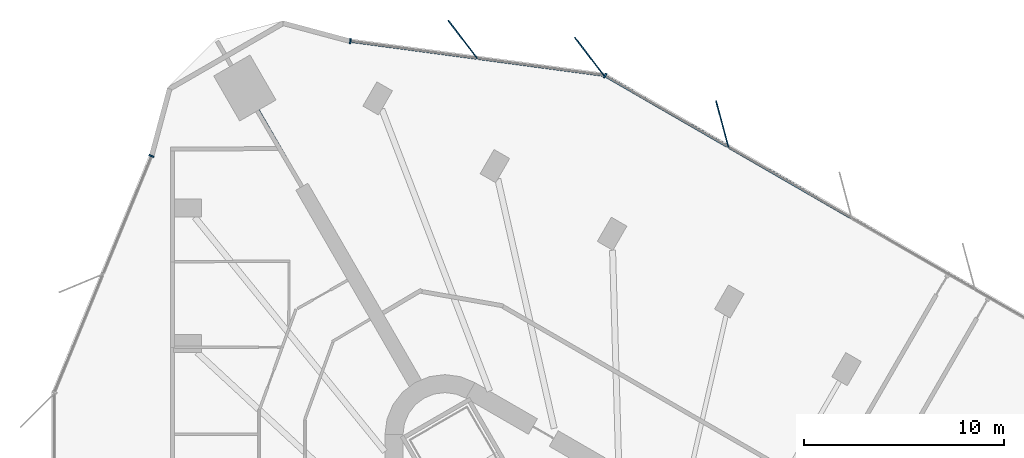
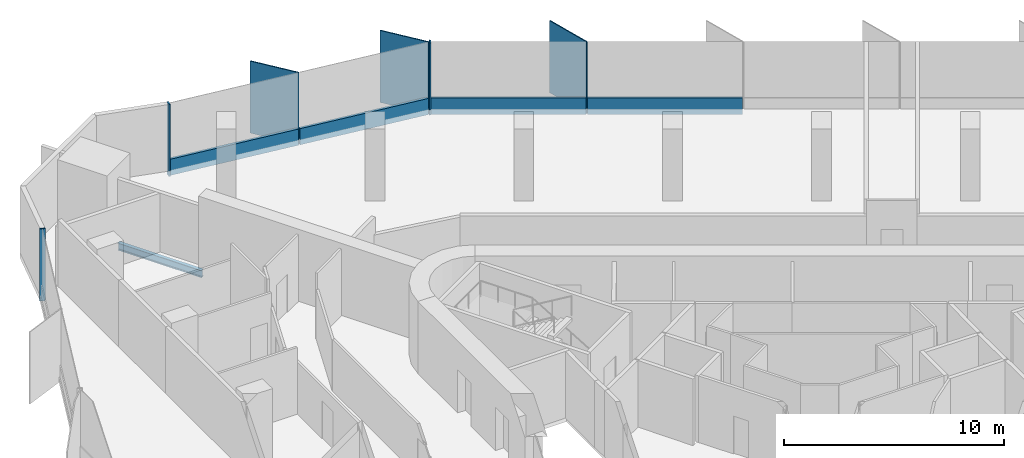
# One storey, part 6 of 14: 10 members, 1 beam, 3 elements without a shape of their own.
"""IFC4 building model written with IfcOpenShell, lengths in metres."""

from ifc_helpers import new_model, si_unit, direction, frame, origin, origin_2d, place, context, subcontext, project, spatial, rectangle, i_section, extrude, material, material_profile, profile_set, type_object, element, aggregate, save


model = new_model("IFC4")

# Units and contexts
model_context = context("Model", 3, precision=1e-05, world=origin(), true_north=direction((0.0, 1.0)))
body_context = subcontext(model_context, "Body", "Model", "MODEL_VIEW")
ifc_project = project(units=[si_unit("LENGTHUNIT", "METRE"), si_unit("AREAUNIT", "SQUARE_METRE"), si_unit("VOLUMEUNIT", "CUBIC_METRE"), si_unit("PLANEANGLEUNIT", "RADIAN"), si_unit("MASSUNIT", "GRAM", prefix="KILO")], contexts=[model_context])

# Site, building, storey
site_placement = place(None, origin())
site = spatial("IfcSite", under=ifc_project, at=site_placement, CompositionType="ELEMENT")
building_placement = place(site_placement, origin())
building = spatial("IfcBuilding", under=site, at=building_placement, Name="Tanit Gate Tower", CompositionType="ELEMENT")
storey_placement = place(building_placement, frame((0.0, 0.0, 237.199951171875)))
storey = spatial("IfcBuildingStorey", under=building, at=storey_placement, Name="L53", CompositionType="ELEMENT", Elevation=237.199951171875)

# Curtain wall, member
ifc_material_1 = material(Name="Aluminium bronze anodised and glass", Category="aluminium")
curtain_wall_type = type_object("IfcCurtainWallType", Name="Curtain wall typical mid", PredefinedType="NOTDEFINED", material=ifc_material_1)
curtain_wall_1_placement = place(storey_placement, origin())
curtain_wall_1 = element("IfcCurtainWall", 1, at=curtain_wall_1_placement, inside=storey, type_object=curtain_wall_type, Name="Curtain wall L53 NE2", PredefinedType="NOTDEFINED")
ifc_material_2 = material(Name="Aluminium bronze anodised", Category="aluminium")
ifc_material_profile_1 = material_profile(ifc_material_2, rectangle(XDim=2.39990234375, YDim=0.055908203125, at=origin_2d()), Name="56x2400 bronze fin mullion")
ifc_profile_set_1 = profile_set([ifc_material_profile_1], Name="Aluminium bronze anodised")
member_type_1 = type_object("IfcMemberType", Name="FIN MULLION 56x2400 bronze", PredefinedType="MULLION", material=ifc_profile_set_1)
member_1_placement = place(storey_placement, frame((4.772216796875, 31.29443359375, -0.300048828125), z_axis=(0.0, 0.0, 1.0), x_axis=(0.258886020591, -0.965907877772, 0.0)))
member_1 = element("IfcMember", 2, at=member_1_placement, type_object=member_type_1, Name="Fin mullion L53 NE2.5", PredefinedType="MULLION", context=body_context, shape_type="SweptSolid", body=[
    extrude(rectangle(XDim=2.39990234375, YDim=0.055908203125, at=origin_2d()), origin(), (0.0, 0.0, 1.0), 4.0),
])

# Curtain wall, members
curtain_wall_2_placement = place(storey_placement, origin())
curtain_wall_2 = element("IfcCurtainWall", 3, at=curtain_wall_2_placement, inside=storey, type_object=curtain_wall_type, Name="Curtain wall L53 NE3", PredefinedType="NOTDEFINED")
member_2_placement = place(storey_placement, frame((-1.878662109375, 34.677978515625, -0.300048828125), z_axis=(0.0, 0.0, 1.0), x_axis=(0.606564027871, -0.795034640813, 0.0)))
member_2 = element("IfcMember", 4, at=member_2_placement, type_object=member_type_1, Name="Fin mullion L53 NE3.1", PredefinedType="MULLION", context=body_context, shape_type="SweptSolid", body=[
    extrude(rectangle(XDim=2.39990234375, YDim=0.055908203125, at=origin_2d()), origin(), (0.0, 0.0, 1.0), 4.0),
])
member_3_placement = place(storey_placement, frame((-8.2119140625, 35.52978515625, -0.300048828125), z_axis=(0.0, 0.0, 1.0), x_axis=(0.606564027871, -0.795034640813, 0.0)))
member_3 = element("IfcMember", 5, at=member_3_placement, type_object=member_type_1, Name="Fin mullion L53 NE3.2", PredefinedType="MULLION", context=body_context, shape_type="SweptSolid", body=[
    extrude(rectangle(XDim=2.39990234375, YDim=0.055908203125, at=origin_2d()), origin(), (0.0, 0.0, 1.0), 4.0),
])

# Member
ifc_material_3 = material(Name="Aluminium bronze anodised", Category="aluminium")
ifc_material_profile_2 = material_profile(ifc_material_3, rectangle(XDim=0.260009765625, YDim=0.080078125, at=origin_2d()), Name="80x260 bronze mullion")
ifc_profile_set_2 = profile_set([ifc_material_profile_2], Name="Aluminium bronze anodised")
member_type_2 = type_object("IfcMemberType", Name="Mullion 80x260 typical mid", PredefinedType="MULLION", material=ifc_profile_set_2)
member_4_placement = place(storey_placement, frame((-1.08935546875, 33.715576171875, -0.300048828125), z_axis=(0.0, 0.0, 1.0), x_axis=(-0.49993994966, -0.866060071089, 0.0)))
member_4 = element("IfcMember", 6, at=member_4_placement, type_object=member_type_2, Name="Mullion L53 NE2.6", PredefinedType="MULLION", context=body_context, shape_type="SweptSolid", body=[
    extrude(rectangle(XDim=0.260009765625, YDim=0.080078125, at=origin_2d()), origin(), (0.0, 0.0, 1.0), 4.0),
])

member_5_placement = place(storey_placement, frame((-13.830078125, 35.444091796875, -0.300048828125), z_axis=(0.0, 0.0, 1.0), x_axis=(-0.133268848466, -0.991079923129, 0.0)))
member_5 = element("IfcMember", 7, at=member_5_placement, type_object=member_type_2, Name="Mullion L53 NE3.3", PredefinedType="MULLION", context=body_context, shape_type="SweptSolid", body=[
    extrude(rectangle(XDim=0.260009765625, YDim=0.080078125, at=origin_2d()), origin(), (0.0, 0.0, 1.0), 4.0),
])

# Curtain wall, member
curtain_wall_3_placement = place(storey_placement, origin())
curtain_wall_3 = element("IfcCurtainWall", 8, at=curtain_wall_3_placement, inside=storey, type_object=curtain_wall_type, Name="Curtain wall L53 W1", PredefinedType="NOTDEFINED")
member_6_placement = place(storey_placement, frame((-23.780517578125, 29.69921875, -0.300048828125), z_axis=(0.0, 0.0, 1.0), x_axis=(0.924867158401, -0.380290335549, 0.0)))
member_6 = element("IfcMember", 9, at=member_6_placement, type_object=member_type_2, Name="Mullion L53 W1.1", PredefinedType="MULLION", context=body_context, shape_type="SweptSolid", body=[
    extrude(rectangle(XDim=0.260009765625, YDim=0.080078125, at=origin_2d()), origin(), (0.0, 0.0, 1.0), 4.0),
])
aggregate(curtain_wall_3, [member_6])

# Beam
ifc_material_4 = material(Name="Steel S355", Category="steel")
ifc_material_profile_3 = material_profile(ifc_material_4, i_section(OverallWidth=0.179931640625, OverallDepth=0.39990234375, WebThickness=0.008544921875, FlangeThickness=0.013427734375, FilletRadius=0.02099609375, at=origin_2d()), Name="IPE 400")
ifc_profile_set_3 = profile_set([ifc_material_profile_3], Name="Steel S355")
beam_type = type_object("IfcBeamType", Name="RADIAL GIRDER IPE 400 S355", PredefinedType="BEAM", material=ifc_profile_set_3)
beam_placement = place(storey_placement, frame((-18.459716796875, 31.973388671875, -0.5), z_axis=(0.499992938033, -0.866029480975, 0.0), x_axis=(0.866029480975, 0.499992938033, 0.0)))
element("IfcBeam", 10, at=beam_placement, inside=storey, type_object=beam_type, Name="RADIAL GIRDER", PredefinedType="BEAM", context=body_context, shape_type="SweptSolid", body=[
    extrude(i_section(OverallWidth=0.179931640625, OverallDepth=0.39990234375, WebThickness=0.008544921875, FlangeThickness=0.013427734375, FilletRadius=0.02099609375, at=origin_2d()), origin(), (0.0, 0.0, 1.0), 4.4013671875),
])

# Member
ifc_material_5 = material(Name="Aluminium bronze anodised", Category="aluminium")
ifc_material_profile_4 = material_profile(ifc_material_5, rectangle(XDim=0.139892578125, YDim=0.89990234375, at=origin_2d()), Name="140x900 bronze transom")
ifc_profile_set_4 = profile_set([ifc_material_profile_4], Name="Aluminium bronze anodised")
member_type_3 = type_object("IfcMemberType", Name="Transom 140x900 typical mid", PredefinedType="USERDEFINED", material=ifc_profile_set_4)
member_7_placement = place(storey_placement, frame((11.20947265625, 26.615966796875, 0.150146484375), z_axis=(-0.866060282556, 0.499939583328, 0.0), x_axis=(-0.499939583328, -0.866060282556, 0.0)))
member_7 = element("IfcMember", 11, at=member_7_placement, type_object=member_type_3, Name="Transom L53 NE2.4", ObjectType="TRANSOM", PredefinedType="USERDEFINED", context=body_context, shape_type="SweptSolid", body=[
    extrude(rectangle(XDim=0.139892578125, YDim=0.89990234375, at=origin_2d()), origin(), (0.0, 0.0, 1.0), 7.040283203125),
])

member_8_placement = place(storey_placement, frame((5.042724609375, 30.17578125, 0.150146484375), z_axis=(-0.866060282556, 0.499939583328, 0.0), x_axis=(-0.499939583328, -0.866060282556, 0.0)))
member_8 = element("IfcMember", 12, at=member_8_placement, type_object=member_type_3, Name="Transom L53 NE2.5", ObjectType="TRANSOM", PredefinedType="USERDEFINED", context=body_context, shape_type="SweptSolid", body=[
    extrude(rectangle(XDim=0.139892578125, YDim=0.89990234375, at=origin_2d()), origin(), (0.0, 0.0, 1.0), 7.040283203125),
])

aggregate(curtain_wall_1, [member_1, member_4, member_7, member_8])

member_9_placement = place(storey_placement, frame((-1.203125, 33.74609375, 0.150146484375), z_axis=(-0.991077574285, 0.133286314936, 0.0), x_axis=(-0.133286314936, -0.991077574285, 0.0)))
member_9 = element("IfcMember", 13, at=member_9_placement, type_object=member_type_3, Name="Transom L53 NE3.1", ObjectType="TRANSOM", PredefinedType="USERDEFINED", context=body_context, shape_type="SweptSolid", body=[
    extrude(rectangle(XDim=0.139892578125, YDim=0.89990234375, at=origin_2d()), origin(), (0.0, 0.0, 1.0), 6.310302734375),
])

member_10_placement = place(storey_placement, frame((-7.536376953125, 34.597900390625, 0.150146484375), z_axis=(-0.991083371296, 0.13324320298, 0.0), x_axis=(-0.13324320298, -0.991083371296, 0.0)))
member_10 = element("IfcMember", 14, at=member_10_placement, type_object=member_type_3, Name="Transom L53 NE3.2", ObjectType="TRANSOM", PredefinedType="USERDEFINED", context=body_context, shape_type="SweptSolid", body=[
    extrude(rectangle(XDim=0.139892578125, YDim=0.89990234375, at=origin_2d()), origin(), (0.0, 0.0, 1.0), 6.310302734375),
])

aggregate(curtain_wall_2, [member_2, member_3, member_5, member_9, member_10])

save(model, "model.ifc")
